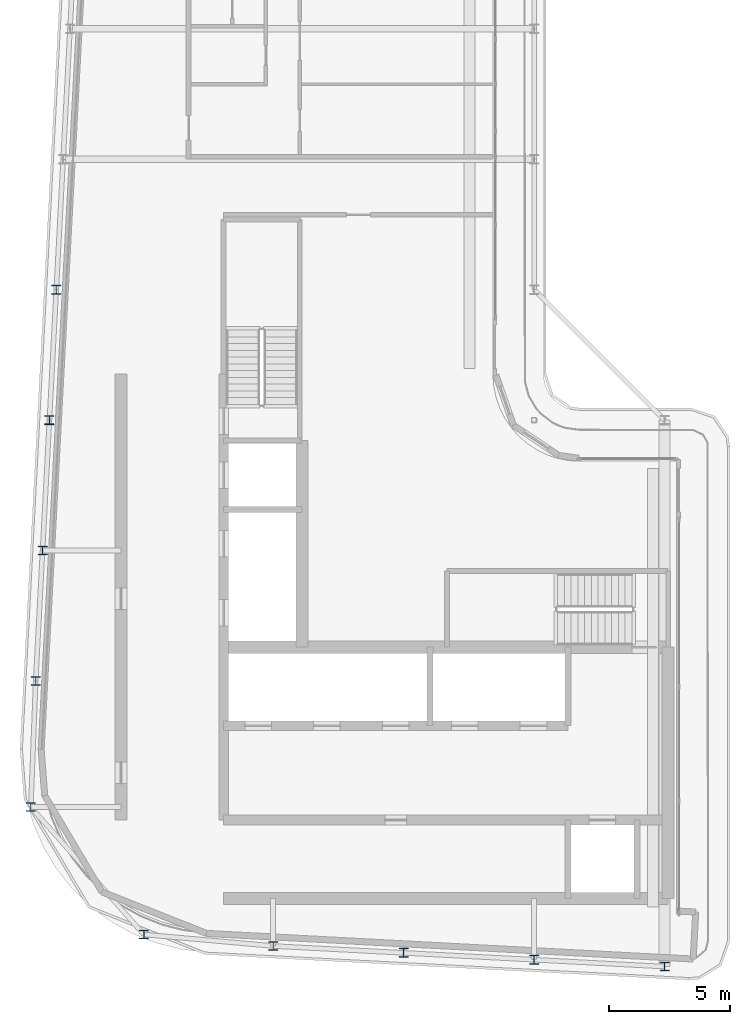
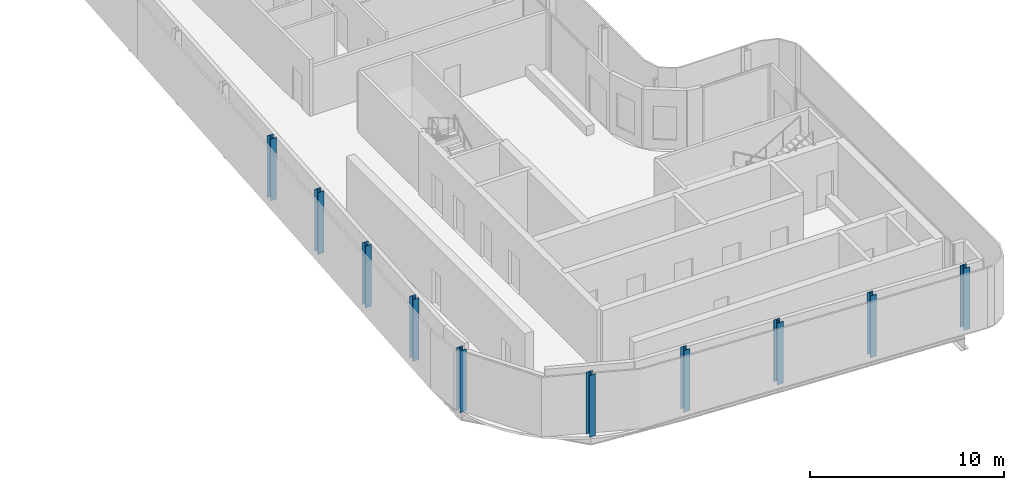
# One storey, part 1 of 18: 10 columns.
"""IFC4 building model written with IfcOpenShell, lengths in metres."""

from ifc_helpers import new_model, si_unit, direction, frame, origin, origin_2d, place, context, subcontext, project, spatial, i_section, extrude, material, material_profile, profile_set, type_object, element, save


model = new_model("IFC4")

# Units and contexts
model_context = context("Model", 3, precision=1e-05, world=origin(), true_north=direction((0.0, 1.0)))
body_context = subcontext(model_context, "Body", "Model", "MODEL_VIEW")
ifc_project = project(units=[si_unit("LENGTHUNIT", "METRE"), si_unit("AREAUNIT", "SQUARE_METRE"), si_unit("VOLUMEUNIT", "CUBIC_METRE"), si_unit("PLANEANGLEUNIT", "RADIAN"), si_unit("MASSUNIT", "GRAM", prefix="KILO")], contexts=[model_context])

# Site, building, storey
site_placement = place(None, origin())
site = spatial("IfcSite", under=ifc_project, at=site_placement, CompositionType="ELEMENT")
building_placement = place(site_placement, origin())
building = spatial("IfcBuilding", under=site, at=building_placement, Name="Kheshtan School and Residences Tower", CompositionType="ELEMENT")
storey_placement = place(building_placement, frame((0.0, 0.0, 381.199951171875)))
storey = spatial("IfcBuildingStorey", under=building, at=storey_placement, Name="L90", CompositionType="ELEMENT", Elevation=381.199951171875)

# Columns
ifc_material = material(Name="Steel ASTM A992 Grade 50", Category="steel")
ifc_material_profile = material_profile(ifc_material, i_section(OverallWidth=0.37109375, OverallDepth=0.364013671875, WebThickness=0.01318359375, FlangeThickness=0.021728515625, FilletRadius=0.010986328125, at=origin_2d()), Name="W360x162")
ifc_profile_set = profile_set([ifc_material_profile], Name="Steel ASTM A992 Grade 50")
column_type = type_object("IfcColumnType", Name="Column C6 W360x162 ASTM A992 Grade 50", PredefinedType="COLUMN", material=ifc_profile_set)
for number, where, z_axis, x_axis, name in (
    (1, (53.0, 22.97998046875, 0.0), (0.0, 0.0, 1.0), (1.0, 0.0, 0.0), "Column C019"),
    (2, (47.60009765625, 23.263916015625, 0.0), (0.0, 0.0, 1.0), (1.0, 0.0, 0.0), "Column C020"),
    (3, (42.199951171875, 23.548095703125, 0.0), (0.0, 0.0, 1.0), (1.0, 0.0, 0.0), "Column C021"),
    (4, (36.800048828125, 23.83203125, 0.0), (0.0, 0.0, 1.0), (1.0, 0.0, 0.0), "Column C022"),
    (5, (31.447021484375, 24.31005859375, 0.0), (0.0, 0.0, 1.0), (1.0, 0.0, 0.0), "Column C034"),
    (6, (26.76708984375, 29.58203125, 0.0), (0.0, 0.0, 1.0), (1.0, 0.0, 0.0), "Column C048"),
    (7, (26.968994140625, 34.800048828125, 0.0), (0.0, 0.0, 1.0), (1.0, 0.0, 0.0), "Column C052"),
    (8, (27.2529296875, 40.199951171875, 0.0), (0.0, 0.0, 1.0), (1.0, 0.0, 0.0), "Column C056"),
    (9, (27.537109375, 45.60009765625, 0.0), (0.0, 0.0, 1.0), (1.0, 0.0, 0.0), "Column C059"),
    (10, (27.822021484375, 51.0, 0.0), (0.0, 0.0, 1.0), (1.0, 0.0, 0.0), "Column C078"),
):
    element("IfcColumn", number, at=place(storey_placement, frame(where, z_axis=z_axis, x_axis=x_axis)), inside=storey, type_object=column_type, Name=name, PredefinedType="COLUMN", context=body_context, shape_type="SweptSolid", body=[
        extrude(i_section(OverallWidth=0.37109375, OverallDepth=0.364013671875, WebThickness=0.01318359375, FlangeThickness=0.021728515625, FilletRadius=0.010986328125, at=origin_2d()), origin(), (0.0, 0.0, 1.0), 3.900146484375),
    ])

save(model, "model.ifc")
